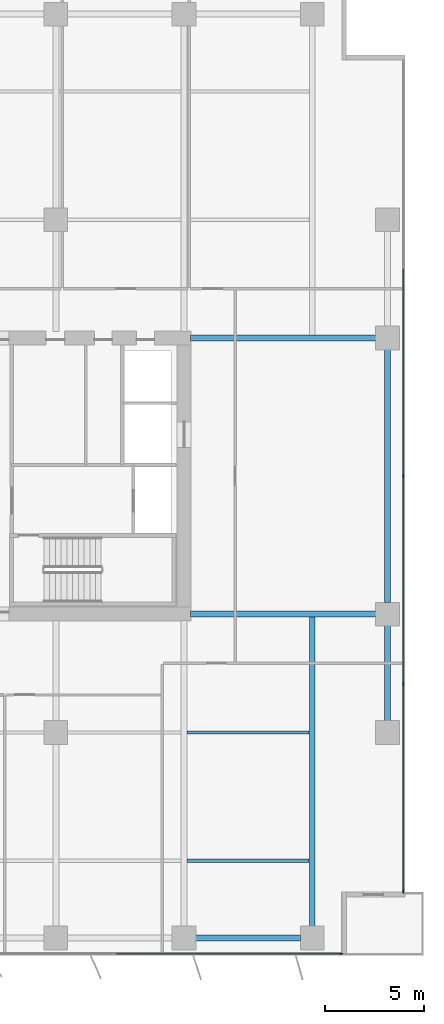
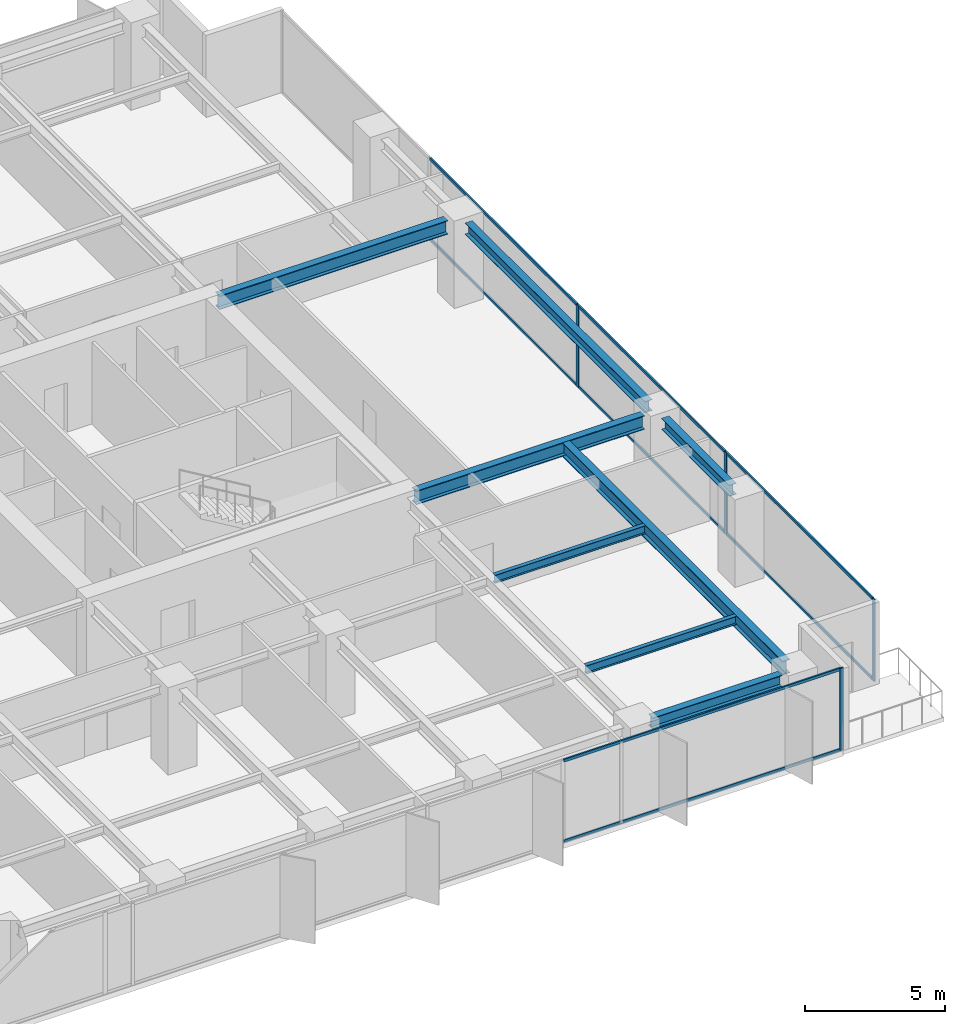
# One storey, part 10 of 20: 12 members, 8 beams, 2 elements without a shape of their own.
"""IFC4 building model written with IfcOpenShell, lengths in metres."""

from ifc_helpers import new_model, si_unit, direction, frame, origin, origin_2d, place, context, subcontext, project, spatial, rectangle, i_section, extrude, material, layer, layer_set, material_profile, profile_set, type_object, element, aggregate, save


model = new_model("IFC4")

# Units and contexts
model_context = context("Model", 3, precision=1e-05, world=origin(), true_north=direction((0.0, 1.0)))
body_context = subcontext(model_context, "Body", "Model", "MODEL_VIEW")
ifc_project = project(units=[si_unit("LENGTHUNIT", "METRE"), si_unit("AREAUNIT", "SQUARE_METRE"), si_unit("VOLUMEUNIT", "CUBIC_METRE"), si_unit("PLANEANGLEUNIT", "RADIAN"), si_unit("MASSUNIT", "GRAM", prefix="KILO")], contexts=[model_context])

# Site, building, storey
site_placement = place(None, origin())
site = spatial("IfcSite", under=ifc_project, at=site_placement, CompositionType="ELEMENT")
building_placement = place(site_placement, origin())
building = spatial("IfcBuilding", under=site, at=building_placement, Name="Putna Gate Headquarters", CompositionType="ELEMENT")
storey_placement = place(building_placement, frame((0.0, 0.0, 116.39990234375)))
storey = spatial("IfcBuildingStorey", under=building, at=storey_placement, Name="L28", CompositionType="ELEMENT", Elevation=116.39990234375)

# Beams
ifc_material_1 = material(Name="Steel S355J2", Category="steel")
ifc_material_profile_1 = material_profile(ifc_material_1, i_section(OverallWidth=0.300048828125, OverallDepth=0.60009765625, WebThickness=0.015380859375, FlangeThickness=0.030029296875, at=origin_2d()), Name="Steel S355J2")
ifc_profile_set_1 = profile_set([ifc_material_profile_1], Name="Steel S355J2")
beam_type_1 = type_object("IfcBeamType", Name="BM-GIRD-Z2-HEB600", PredefinedType="USERDEFINED", material=ifc_profile_set_1)
for number, where, z_axis, x_axis, name in (
    (1, (65.3349609375, 19.0, 3.26513671875), (1.0, 0.0, 0.0), (0.0, 1.0, 0.0), "L28 East Wing Girder Y19"),
    (2, (65.3349609375, 33.0, 3.26513671875), (1.0, 0.0, 0.0), (0.0, 1.0, 0.0), "L28 East Wing Girder Y33"),
):
    element("IfcBeam", number, at=place(storey_placement, frame(where, z_axis=z_axis, x_axis=x_axis)), inside=storey, type_object=beam_type_1, Name=name, ObjectType="GIRDER", PredefinedType="USERDEFINED", context=body_context, shape_type="SweptSolid", body=[
        extrude(i_section(OverallWidth=0.300048828125, OverallDepth=0.60009765625, WebThickness=0.015380859375, FlangeThickness=0.030029296875, at=origin_2d()), origin(), (0.0, 0.0, 1.0), 9.39697265625),
    ])
beam_1_placement = place(storey_placement, frame((71.5, 3.16796875, 3.26513671875), z_axis=(0.0, 1.0, 0.0), x_axis=(-1.0, 0.0, 0.0)))
element("IfcBeam", 3, at=beam_1_placement, inside=storey, type_object=beam_type_1, Name="L28 South Primary Girder X71", ObjectType="GIRDER", PredefinedType="USERDEFINED", context=body_context, shape_type="SweptSolid", body=[
    extrude(i_section(OverallWidth=0.300048828125, OverallDepth=0.60009765625, WebThickness=0.015380859375, FlangeThickness=0.030029296875, at=origin_2d()), origin(), (0.0, 0.0, 1.0), 15.820068359375),
])
ifc_material_profile_2 = material_profile(ifc_material_1, i_section(OverallWidth=0.169921875, OverallDepth=0.360107421875, WebThickness=0.008056640625, FlangeThickness=0.0126953125, at=origin_2d()), Name="Steel S355J2")
ifc_profile_set_2 = profile_set([ifc_material_profile_2], Name="Steel S355J2")
beam_type_2 = type_object("IfcBeamType", Name="BM-SEC-Z2-IPE360", PredefinedType="BEAM", material=ifc_profile_set_2)
for number, where, z_axis, x_axis, name in (
    (4, (65.154052734375, 6.5, 3.385009765625), (1.0, 0.0, 0.0), (0.0, 1.0, 0.0), "L28 South Secondary Beam 10"),
    (5, (65.154052734375, 13.0, 3.385009765625), (1.0, 0.0, 0.0), (0.0, 1.0, 0.0), "L28 South Secondary Beam 10"),
):
    element("IfcBeam", number, at=place(storey_placement, frame(where, z_axis=z_axis, x_axis=x_axis)), inside=storey, type_object=beam_type_2, Name=name, PredefinedType="BEAM", context=body_context, shape_type="SweptSolid", body=[
        extrude(i_section(OverallWidth=0.169921875, OverallDepth=0.360107421875, WebThickness=0.008056640625, FlangeThickness=0.0126953125, at=origin_2d()), origin(), (0.0, 0.0, 1.0), 6.19189453125),
    ])
ifc_material_profile_3 = material_profile(ifc_material_1, i_section(OverallWidth=0.300048828125, OverallDepth=0.489990234375, WebThickness=0.011962890625, FlangeThickness=0.02294921875, at=origin_2d()), Name="Steel S355J2")
ifc_profile_set_3 = profile_set([ifc_material_profile_3], Name="Steel S355J2")
beam_type_3 = type_object("IfcBeamType", Name="BM-SPAN-Z2-HEA500", PredefinedType="SPANDREL", material=ifc_profile_set_3)
beam_2_placement = place(storey_placement, frame((65.587890625, 2.580078125, 3.320068359375), z_axis=(1.0, 0.0, 0.0), x_axis=(0.0, 1.0, 0.0)))
element("IfcBeam", 6, at=beam_2_placement, inside=storey, type_object=beam_type_3, Name="L28 S Perimeter Spandrel 10", PredefinedType="SPANDREL", context=body_context, shape_type="SweptSolid", body=[
    extrude(i_section(OverallWidth=0.300048828125, OverallDepth=0.489990234375, WebThickness=0.011962890625, FlangeThickness=0.02294921875, at=origin_2d()), origin(), (0.0, 0.0, 1.0), 5.32421875),
])
beam_3_placement = place(storey_placement, frame((75.320068359375, 13.587890625, 3.320068359375), z_axis=(0.0, 1.0, 0.0), x_axis=(-1.0, 0.0, 0.0)))
element("IfcBeam", 7, at=beam_3_placement, inside=storey, type_object=beam_type_3, Name="L28 E End Spandrel 1", PredefinedType="SPANDREL", context=body_context, shape_type="SweptSolid", body=[
    extrude(i_section(OverallWidth=0.300048828125, OverallDepth=0.489990234375, WebThickness=0.011962890625, FlangeThickness=0.02294921875, at=origin_2d()), origin(), (0.0, 0.0, 1.0), 4.82421875),
])
beam_4_placement = place(storey_placement, frame((75.320068359375, 19.587890625, 3.320068359375), z_axis=(0.0, 1.0, 0.0), x_axis=(-1.0, 0.0, 0.0)))
element("IfcBeam", 8, at=beam_4_placement, inside=storey, type_object=beam_type_3, Name="L28 E End Spandrel 2", PredefinedType="SPANDREL", context=body_context, shape_type="SweptSolid", body=[
    extrude(i_section(OverallWidth=0.300048828125, OverallDepth=0.489990234375, WebThickness=0.011962890625, FlangeThickness=0.02294921875, at=origin_2d()), origin(), (0.0, 0.0, 1.0), 12.82421875),
])

# Curtain wall, member
ifc_material_2 = material(Name="Anodised bronze aluminium curtain wall", Category="aluminium")
ifc_layer = layer(ifc_material_2, 0.159912109375)
ifc_layer_set = layer_set([ifc_layer], Name="Anodised bronze aluminium curtain wall")
curtain_wall_type = type_object("IfcCurtainWallType", Name="CW-SYS-Z2", PredefinedType="USERDEFINED", material=ifc_layer_set)
curtain_wall_1_placement = place(storey_placement, origin())
curtain_wall_1 = element("IfcCurtainWall", 9, at=curtain_wall_1_placement, inside=storey, type_object=curtain_wall_type, Name="L28 South East Curtain Wall", ObjectType="STICK CURTAIN WALL", PredefinedType="USERDEFINED")
ifc_material_3 = material(Name="Anodised bronze aluminium EN AW-6060", Category="aluminium")
ifc_material_profile_4 = material_profile(ifc_material_3, rectangle(XDim=0.06494140625, YDim=0.159912109375, at=origin_2d()), Name="Anodised bronze aluminium EN AW-6060")
ifc_profile_set_4 = profile_set([ifc_material_profile_4], Name="Anodised bronze aluminium EN AW-6060")
member_type_1 = type_object("IfcMemberType", Name="MULL-CWM-2", PredefinedType="MULLION", material=ifc_profile_set_4)
member_1_placement = place(storey_placement, frame((72.967529296875, 1.780029296875, 0.0), z_axis=(0.0, 0.0, 1.0), x_axis=(0.0, 1.0, 0.0)))
member_1 = element("IfcMember", 10, at=member_1_placement, type_object=member_type_1, Name="CWS-2 mullion 3", PredefinedType="MULLION", context=body_context, shape_type="SweptSolid", body=[
    extrude(rectangle(XDim=0.06494140625, YDim=0.159912109375, at=origin_2d()), origin(), (0.0, 0.0, 1.0), 3.565185546875),
])

# Curtain wall, members
curtain_wall_2_placement = place(storey_placement, origin())
curtain_wall_2 = element("IfcCurtainWall", 11, at=curtain_wall_2_placement, inside=storey, type_object=curtain_wall_type, Name="L28 East Curtain Wall", ObjectType="STICK CURTAIN WALL", PredefinedType="USERDEFINED")
member_2_placement = place(storey_placement, frame((76.1201171875, 4.9326171875, 0.0), z_axis=(0.0, 0.0, 1.0), x_axis=(-1.0, 0.0, 0.0)))
member_2 = element("IfcMember", 12, at=member_2_placement, type_object=member_type_1, Name="CWS-2 mullion 1", PredefinedType="MULLION", context=body_context, shape_type="SweptSolid", body=[
    extrude(rectangle(XDim=0.06494140625, YDim=0.159912109375, at=origin_2d()), origin(), (0.0, 0.0, 1.0), 3.565185546875),
])
member_3_placement = place(storey_placement, frame((76.1201171875, 15.449951171875, 0.0), z_axis=(0.0, 0.0, 1.0), x_axis=(-1.0, 0.0, 0.0)))
member_3 = element("IfcMember", 13, at=member_3_placement, type_object=member_type_1, Name="CWS-2 mullion 2", PredefinedType="MULLION", context=body_context, shape_type="SweptSolid", body=[
    extrude(rectangle(XDim=0.06494140625, YDim=0.159912109375, at=origin_2d()), origin(), (0.0, 0.0, 1.0), 3.565185546875),
])
member_4_placement = place(storey_placement, frame((76.1201171875, 26.0, 0.0), z_axis=(0.0, 0.0, 1.0), x_axis=(-1.0, 0.0, 0.0)))
member_4 = element("IfcMember", 14, at=member_4_placement, type_object=member_type_1, Name="CWS-2 mullion 3", PredefinedType="MULLION", context=body_context, shape_type="SweptSolid", body=[
    extrude(rectangle(XDim=0.06494140625, YDim=0.159912109375, at=origin_2d()), origin(), (0.0, 0.0, 1.0), 3.565185546875),
])

# Member
ifc_material_profile_5 = material_profile(ifc_material_3, rectangle(XDim=0.06494140625, YDim=0.1201171875, at=origin_2d()), Name="Anodised bronze aluminium EN AW-6060")
ifc_profile_set_5 = profile_set([ifc_material_profile_5], Name="Anodised bronze aluminium EN AW-6060")
member_type_2 = type_object("IfcMemberType", Name="TRAN-CWT-2", PredefinedType="USERDEFINED", material=ifc_profile_set_5)
member_5_placement = place(storey_placement, frame((61.532470703125, 1.780029296875, 0.03271484375), z_axis=(1.0, 0.0, 0.0), x_axis=(0.0, 1.0, 0.0)))
member_5 = element("IfcMember", 15, at=member_5_placement, type_object=member_type_2, Name="CWS-2 transom 2.1", ObjectType="TRANSOM", PredefinedType="USERDEFINED", context=body_context, shape_type="SweptSolid", body=[
    extrude(rectangle(XDim=0.06494140625, YDim=0.1201171875, at=origin_2d()), origin(), (0.0, 0.0, 1.0), 11.402587890625),
])

member_6_placement = place(storey_placement, frame((61.532470703125, 1.780029296875, 3.53271484375), z_axis=(1.0, 0.0, 0.0), x_axis=(0.0, 1.0, 0.0)))
member_6 = element("IfcMember", 16, at=member_6_placement, type_object=member_type_2, Name="CWS-2 transom 2.2", ObjectType="TRANSOM", PredefinedType="USERDEFINED", context=body_context, shape_type="SweptSolid", body=[
    extrude(rectangle(XDim=0.06494140625, YDim=0.1201171875, at=origin_2d()), origin(), (0.0, 0.0, 1.0), 11.402587890625),
])

aggregate(curtain_wall_1, [member_1, member_5, member_6])

member_7_placement = place(storey_placement, frame((76.1201171875, 4.965087890625, 0.03271484375), z_axis=(0.0, 1.0, 0.0), x_axis=(-1.0, 0.0, 0.0)))
member_7 = element("IfcMember", 17, at=member_7_placement, type_object=member_type_2, Name="CWS-2 transom 1.1", ObjectType="TRANSOM", PredefinedType="USERDEFINED", context=body_context, shape_type="SweptSolid", body=[
    extrude(rectangle(XDim=0.06494140625, YDim=0.1201171875, at=origin_2d()), origin(), (0.0, 0.0, 1.0), 10.452392578125),
])

member_8_placement = place(storey_placement, frame((76.1201171875, 4.965087890625, 3.53271484375), z_axis=(0.0, 1.0, 0.0), x_axis=(-1.0, 0.0, 0.0)))
member_8 = element("IfcMember", 18, at=member_8_placement, type_object=member_type_2, Name="CWS-2 transom 1.2", ObjectType="TRANSOM", PredefinedType="USERDEFINED", context=body_context, shape_type="SweptSolid", body=[
    extrude(rectangle(XDim=0.06494140625, YDim=0.1201171875, at=origin_2d()), origin(), (0.0, 0.0, 1.0), 10.452392578125),
])

member_9_placement = place(storey_placement, frame((76.1201171875, 15.482421875, 0.03271484375), z_axis=(0.0, 1.0, 0.0), x_axis=(-1.0, 0.0, 0.0)))
member_9 = element("IfcMember", 19, at=member_9_placement, type_object=member_type_2, Name="CWS-2 transom 2.1", ObjectType="TRANSOM", PredefinedType="USERDEFINED", context=body_context, shape_type="SweptSolid", body=[
    extrude(rectangle(XDim=0.06494140625, YDim=0.1201171875, at=origin_2d()), origin(), (0.0, 0.0, 1.0), 10.485107421875),
])

member_10_placement = place(storey_placement, frame((76.1201171875, 15.482421875, 3.53271484375), z_axis=(0.0, 1.0, 0.0), x_axis=(-1.0, 0.0, 0.0)))
member_10 = element("IfcMember", 20, at=member_10_placement, type_object=member_type_2, Name="CWS-2 transom 2.2", ObjectType="TRANSOM", PredefinedType="USERDEFINED", context=body_context, shape_type="SweptSolid", body=[
    extrude(rectangle(XDim=0.06494140625, YDim=0.1201171875, at=origin_2d()), origin(), (0.0, 0.0, 1.0), 10.485107421875),
])

member_11_placement = place(storey_placement, frame((76.1201171875, 26.032470703125, 0.03271484375), z_axis=(0.0, 1.0, 0.0), x_axis=(-1.0, 0.0, 0.0)))
member_11 = element("IfcMember", 21, at=member_11_placement, type_object=member_type_2, Name="CWS-2 transom 3.1", ObjectType="TRANSOM", PredefinedType="USERDEFINED", context=body_context, shape_type="SweptSolid", body=[
    extrude(rectangle(XDim=0.06494140625, YDim=0.1201171875, at=origin_2d()), origin(), (0.0, 0.0, 1.0), 10.485107421875),
])

member_12_placement = place(storey_placement, frame((76.1201171875, 26.032470703125, 3.53271484375), z_axis=(0.0, 1.0, 0.0), x_axis=(-1.0, 0.0, 0.0)))
member_12 = element("IfcMember", 22, at=member_12_placement, type_object=member_type_2, Name="CWS-2 transom 3.2", ObjectType="TRANSOM", PredefinedType="USERDEFINED", context=body_context, shape_type="SweptSolid", body=[
    extrude(rectangle(XDim=0.06494140625, YDim=0.1201171875, at=origin_2d()), origin(), (0.0, 0.0, 1.0), 10.485107421875),
])

aggregate(curtain_wall_2, [member_2, member_3, member_4, member_7, member_8, member_9, member_10, member_11, member_12])

save(model, "model.ifc")
